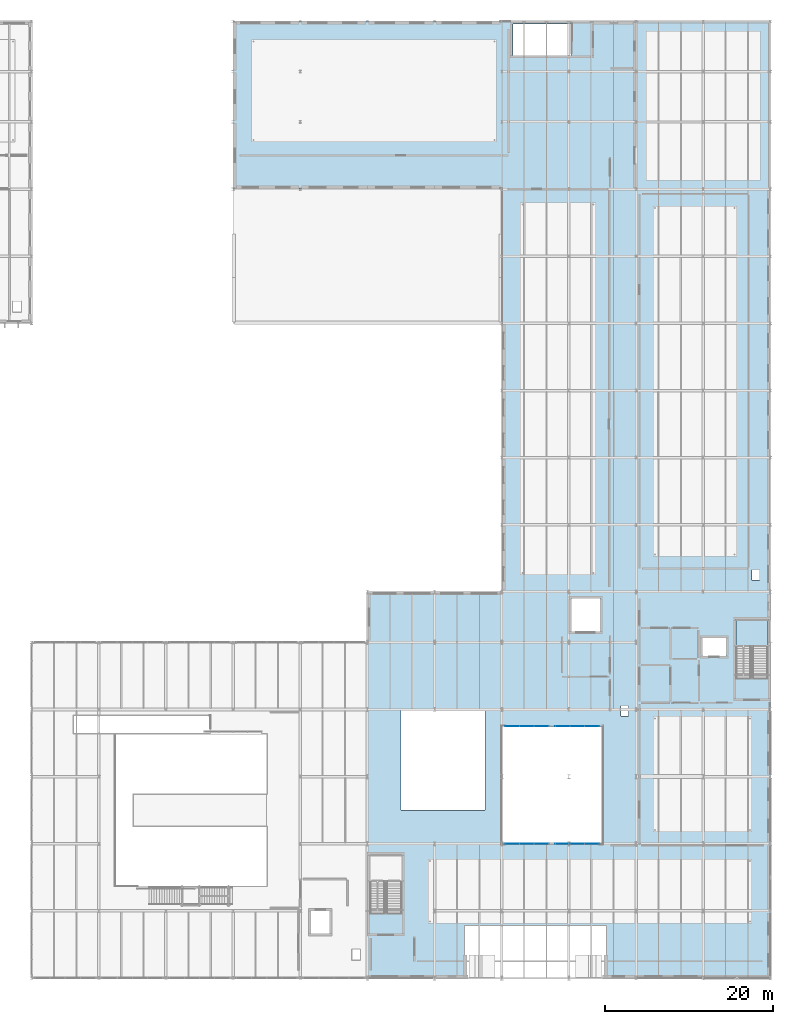
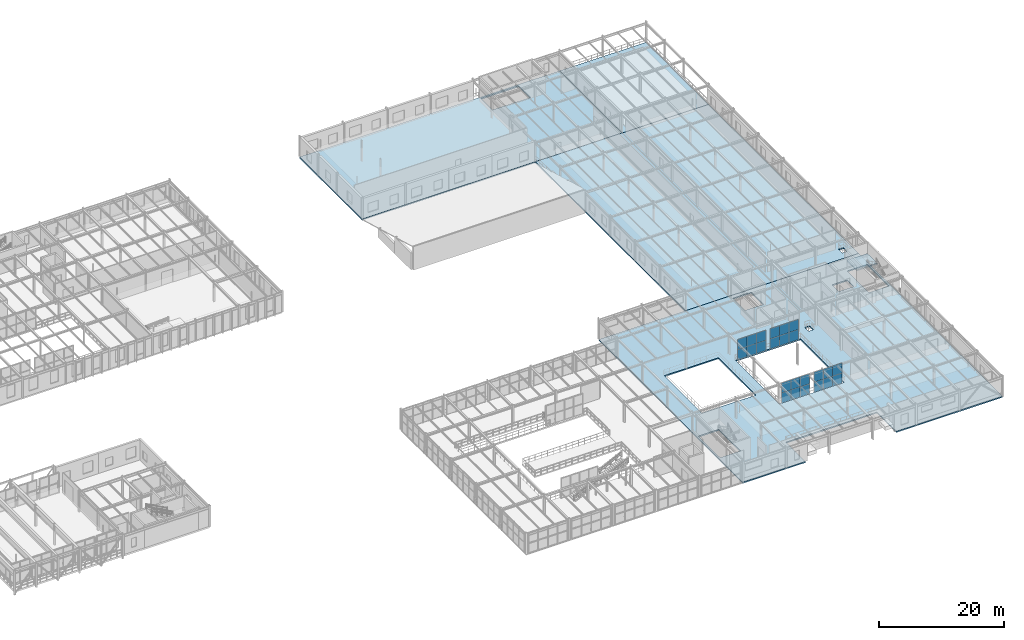
# One storey, part 72 of 124: 24 plates, 5 slabs, 5 elements without a shape of their own.
"""IFC4 building model written with IfcOpenShell, lengths in metres."""

import ifcopenshell
import ifcopenshell.guid

model = None  # the IFC model being written
_history = None  # IfcOwnerHistory: only IFC2X3 demands one
_inside = {}  # id of a spatial element -> (the spatial element, [elements in it])
_under = {}  # id of a project, library or spatial element -> (it, [spatial elements below it])
_declared = {}  # id of a project -> (the project, [libraries it declares])
_typed = {}  # id of a type object -> (the type object, [elements of that type])
_made_of = {}  # id of a material, layer set ... -> (it, [elements and type objects made of it])


def new_model(schema):
    """Start an empty IFC model of exactly this schema.

    Asked for "IFC4X3", IfcOpenShell would pick the latest addendum, in which some entities
    have other attributes; the version numbers below select the first issue.
    IFC2X3 requires an IfcOwnerHistory on every rooted entity: one is made here for all.
    """
    global model, _history
    if schema == "IFC4X3":
        model = ifcopenshell.file(schema_version=(4, 3, 0, 0))
    else:
        model = ifcopenshell.file(schema=schema)
    _inside.clear()
    _under.clear()
    _declared.clear()
    _typed.clear()
    _made_of.clear()
    _history = None
    if model.schema == "IFC2X3":
        org = make("IfcOrganization", Name="unknown")
        user = make(
            "IfcPersonAndOrganization",
            ThePerson=make("IfcPerson", FamilyName="unknown"),
            TheOrganization=org,
        )
        app = make(
            "IfcApplication",
            ApplicationDeveloper=org,
            Version="unknown",
            ApplicationFullName="unknown",
            ApplicationIdentifier="unknown",
        )
        _history = make(
            "IfcOwnerHistory",
            OwningUser=user,
            OwningApplication=app,
            ChangeAction="ADDED",
            CreationDate=0,
        )
    return model


def make(cls, **values):
    """One entity of the class cls with the attributes given. An attribute that is None is left unset."""
    return model.create_entity(
        cls, **{name: value for name, value in values.items() if value is not None}
    )


def rooted(cls, **values):
    """An entity with a GlobalId (a new one), such as an element, a storey or a relation."""
    return make(cls, GlobalId=ifcopenshell.guid.new(), OwnerHistory=_history, **values)


def si_unit(unit_type, name, prefix=None):
    """IfcSIUnit, for example si_unit("LENGTHUNIT", "METRE", prefix="MILLI")."""
    return make("IfcSIUnit", UnitType=unit_type, Prefix=prefix, Name=name)


def assignment(units):
    """IfcUnitAssignment: the units of a project."""
    return None if units is None else make("IfcUnitAssignment", Units=units)


def point(xyz):
    """IfcCartesianPoint."""
    return None if xyz is None else make("IfcCartesianPoint", Coordinates=xyz)


def direction(xyz):
    """IfcDirection."""
    return None if xyz is None else make("IfcDirection", DirectionRatios=xyz)


def frame(location, z_axis=None, x_axis=None):
    """IfcAxis2Placement3D, a coordinate frame: its origin and axes. An axis left out is left unset."""
    return make(
        "IfcAxis2Placement3D",
        Location=point(location),
        Axis=direction(z_axis),
        RefDirection=direction(x_axis),
    )


def frame_2d(location, x_axis=None):
    """IfcAxis2Placement2D, a coordinate frame in the plane: its origin and x axis."""
    return make(
        "IfcAxis2Placement2D", Location=point(location), RefDirection=direction(x_axis)
    )


def origin():
    """The frame at (0, 0, 0) with its axes left unset."""
    return frame((0.0, 0.0, 0.0))


def origin_2d():
    """The frame at (0, 0) in the plane with its x axis left unset."""
    return frame_2d((0.0, 0.0))


def place(relative_to, where):
    """IfcLocalPlacement: puts the frame where relative to a parent placement (None: the world)."""
    return make(
        "IfcLocalPlacement", PlacementRelTo=relative_to, RelativePlacement=where
    )


def context(
    kind, dimensions, precision=None, world=None, true_north=None, identifier=None
):
    """IfcGeometricRepresentationContext, for example the 3D "Model" context."""
    return make(
        "IfcGeometricRepresentationContext",
        ContextIdentifier=identifier,
        ContextType=kind,
        CoordinateSpaceDimension=dimensions,
        Precision=precision,
        WorldCoordinateSystem=world,
        TrueNorth=true_north,
    )


def subcontext(parent, identifier, kind, view, scale=None):
    """IfcGeometricRepresentationSubContext, for example "Body" below "Model"."""
    return make(
        "IfcGeometricRepresentationSubContext",
        ContextIdentifier=identifier,
        ContextType=kind,
        ParentContext=parent,
        TargetScale=scale,
        TargetView=view,
    )


def project(units=None, contexts=None):
    """IfcProject with its units and contexts."""
    return rooted(
        "IfcProject",
        Name="project",
        RepresentationContexts=contexts,
        UnitsInContext=assignment(units),
    )


def spatial(cls, under=None, at=None, **own):
    """A site, building, storey or space (cls), placed at a placement, below another one or the project."""
    s = rooted(cls, ObjectPlacement=at, **own)
    if under is not None:
        _under.setdefault(under.id(), (under, []))[1].append(s)
    return s


def polyline(points):
    """IfcPolyline through the points."""
    return make("IfcPolyline", Points=[point(p) for p in points])


def profile(cls, at=None, kind="AREA", **sizes):
    """A parametric profile (cls). Its sizes go by their IFC names, for example OverallWidth=200.0."""
    return make(cls, ProfileType=kind, Position=at, **sizes)


def rectangle(**sizes):
    """IfcRectangleProfileDef."""
    return profile("IfcRectangleProfileDef", **sizes)


def outline(outer, holes=None, kind="AREA"):
    """IfcArbitraryClosedProfileDef: a profile drawn as a closed curve; with holes, ...WithVoids."""
    if holes is None:
        return make("IfcArbitraryClosedProfileDef", ProfileType=kind, OuterCurve=outer)
    return make(
        "IfcArbitraryProfileDefWithVoids",
        ProfileType=kind,
        OuterCurve=outer,
        InnerCurves=holes,
    )


def extrude(swept, where, along, depth):
    """IfcExtrudedAreaSolid: the profile swept, set in the frame where, extruded along a direction by depth."""
    return make(
        "IfcExtrudedAreaSolid",
        SweptArea=swept,
        Position=where,
        ExtrudedDirection=direction(along),
        Depth=depth,
    )


def shape(context_of_items, identifier, shape_type, items):
    """IfcShapeRepresentation: the items that make up one representation, for example the "Body"."""
    return make(
        "IfcShapeRepresentation",
        ContextOfItems=context_of_items,
        RepresentationIdentifier=identifier,
        RepresentationType=shape_type,
        Items=items,
    )


def material(Name=None, Category=None):
    """IfcMaterial."""
    return make("IfcMaterial", Name=Name, Category=Category)


def layer(
    of_material, thickness, ventilated=None, Name=None, Category=None, Priority=None
):
    """IfcMaterialLayer: one layer of a wall or slab, of a material (None: an air gap)."""
    return make(
        "IfcMaterialLayer",
        Material=of_material,
        LayerThickness=thickness,
        IsVentilated=ventilated,
        Name=Name,
        Category=Category,
        Priority=Priority,
    )


def layer_set(layers, Name=None):
    """IfcMaterialLayerSet."""
    return make("IfcMaterialLayerSet", MaterialLayers=layers, LayerSetName=Name)


def made_of(thing, what):
    """Note that an element or type object is made of a material, layer set ...; save() writes the relation."""
    if what is not None:
        _made_of.setdefault(what.id(), (what, []))[1].append(thing)
    return thing


def type_object(cls, material=None, **own):
    """A type object (cls), such as IfcWallType, which elements share."""
    return made_of(rooted(cls, **own), material)


def element(
    cls,
    number,
    at=None,
    inside=None,
    cuts=None,
    type_object=None,
    material=None,
    context=None,
    identifier="Body",
    shape_type=None,
    held_by="IfcProductDefinitionShape",
    body=None,
    shapes=None,
    **own,
):
    """One element of the class cls, such as IfcWall. Its Tag is "e" and its number.

    at: its placement. inside: the storey or other place that contains it. cuts: it is an
    opening in that element (IfcRelVoidsElement). A single representation is given by context,
    identifier, shape_type and body (its items); several are given by shapes. held_by: the class
    of the entity that holds the representations. save() writes the other relations.
    """
    e = rooted(cls, Tag="e%d" % number, ObjectPlacement=at, **own)
    if body is not None:
        shapes = [shape(context, identifier, shape_type, body)]
    if shapes is not None:
        e.Representation = make(held_by, Representations=shapes)
    if inside is not None:
        _inside.setdefault(inside.id(), (inside, []))[1].append(e)
    if cuts is not None:
        rooted(
            "IfcRelVoidsElement", RelatingBuildingElement=cuts, RelatedOpeningElement=e
        )
    if type_object is not None:
        _typed.setdefault(type_object.id(), (type_object, []))[1].append(e)
    return made_of(e, material)


def aggregate(whole, parts):
    """IfcRelAggregates: a whole, such as a stair, and the parts it consists of."""
    return rooted("IfcRelAggregates", RelatingObject=whole, RelatedObjects=parts)


def save(model, path):
    """Write the relations noted so far, then the file.

    IfcRelAggregates (storeys below a building ...), IfcRelContainedInSpatialStructure (elements
    in a storey), IfcRelDefinesByType, IfcRelAssociatesMaterial and IfcRelDeclares: one each for
    every whole, place, type object, material and project.
    """
    for whole, parts in _under.values():
        aggregate(whole, parts)
    for where, things in _inside.values():
        rooted(
            "IfcRelContainedInSpatialStructure",
            RelatedElements=things,
            RelatingStructure=where,
        )
    for kind, things in _typed.values():
        rooted("IfcRelDefinesByType", RelatedObjects=things, RelatingType=kind)
    for what, things in _made_of.values():
        rooted("IfcRelAssociatesMaterial", RelatedObjects=things, RelatingMaterial=what)
    for by, libraries in _declared.values():
        rooted("IfcRelDeclares", RelatingContext=by, RelatedDefinitions=libraries)
    model.write(path)


model = new_model("IFC4")

# Units and contexts
model_context = context("Model", 3, precision=1e-05, world=origin(), true_north=direction((0.0, 1.0)))
body_context = subcontext(model_context, "Body", "Model", "MODEL_VIEW")
ifc_project = project(units=[si_unit("LENGTHUNIT", "METRE"), si_unit("AREAUNIT", "SQUARE_METRE"), si_unit("VOLUMEUNIT", "CUBIC_METRE"), si_unit("PLANEANGLEUNIT", "RADIAN"), si_unit("MASSUNIT", "GRAM", prefix="KILO")], contexts=[model_context])

# Site, building, storey
site_placement = place(None, origin())
site = spatial("IfcSite", under=ifc_project, at=site_placement, CompositionType="ELEMENT")
building_placement = place(site_placement, origin())
building = spatial("IfcBuilding", under=site, at=building_placement, Name="Sundkrona Museum", CompositionType="ELEMENT")
storey_placement = place(building_placement, frame((0.0, 0.0, 17.60009765625)))
storey = spatial("IfcBuildingStorey", under=building, at=storey_placement, Name="L03", CompositionType="ELEMENT", Elevation=17.60009765625)

# Curtain wall, plates
ifc_material_1 = material(Name="Unitised Aluminium-Steel and Ceramic-Clad Curtain Walling", Category="steel")
curtain_wall_type = type_object("IfcCurtainWallType", Name="CW-SC-52x38", PredefinedType="NOTDEFINED", material=ifc_material_1)
curtain_wall_1_placement = place(storey_placement, origin())
curtain_wall_1 = element("IfcCurtainWall", 1, at=curtain_wall_1_placement, inside=storey, type_object=curtain_wall_type, Name="L03 Curtain Wall CW-L03-009", PredefinedType="NOTDEFINED")
ifc_material_2 = material(Name="Triple Low-E Vision Glazing 32 mm", Category="glass")
ifc_layer_1 = layer(ifc_material_2, 0.031982421875)
ifc_layer_set_1 = layer_set([ifc_layer_1], Name="Triple Low-E Vision Glazing 32 mm")
plate_type = type_object("IfcPlateType", Name="PN-GL-01", PredefinedType="CURTAIN_PANEL", material=ifc_layer_set_1)
plate_1_placement = place(storey_placement, frame((137.2666015625, 16.0, -0.004150390625), z_axis=(0.0, 0.0, 1.0), x_axis=(1.0, 0.0, 0.0)))
plate_1 = element("IfcPlate", 2, at=plate_1_placement, type_object=plate_type, Name="CW-L03-009 Panel 01", PredefinedType="CURTAIN_PANEL", context=body_context, shape_type="SweptSolid", body=[
    extrude(rectangle(XDim=1.7333984375, YDim=0.031982421875, at=origin_2d()), origin(), (0.0, 0.0, 1.0), 1.98388671875),
])
plate_2_placement = place(storey_placement, frame((137.2666015625, 16.0, 1.97998046875), z_axis=(0.0, 0.0, 1.0), x_axis=(1.0, 0.0, 0.0)))
plate_2 = element("IfcPlate", 3, at=plate_2_placement, type_object=plate_type, Name="CW-L03-009 Panel 02", PredefinedType="CURTAIN_PANEL", context=body_context, shape_type="SweptSolid", body=[
    extrude(rectangle(XDim=1.7333984375, YDim=0.031982421875, at=origin_2d()), origin(), (0.0, 0.0, 1.0), 1.98388671875),
])
plate_3_placement = place(storey_placement, frame((139.0, 16.0, -0.004150390625), z_axis=(0.0, 0.0, 1.0), x_axis=(1.0, 0.0, 0.0)))
plate_3 = element("IfcPlate", 4, at=plate_3_placement, type_object=plate_type, Name="CW-L03-009 Panel 03", PredefinedType="CURTAIN_PANEL", context=body_context, shape_type="SweptSolid", body=[
    extrude(rectangle(XDim=1.7333984375, YDim=0.031982421875, at=origin_2d()), origin(), (0.0, 0.0, 1.0), 1.98388671875),
])
plate_4_placement = place(storey_placement, frame((139.0, 16.0, 1.97998046875), z_axis=(0.0, 0.0, 1.0), x_axis=(1.0, 0.0, 0.0)))
plate_4 = element("IfcPlate", 5, at=plate_4_placement, type_object=plate_type, Name="CW-L03-009 Panel 04", PredefinedType="CURTAIN_PANEL", context=body_context, shape_type="SweptSolid", body=[
    extrude(rectangle(XDim=1.7333984375, YDim=0.031982421875, at=origin_2d()), origin(), (0.0, 0.0, 1.0), 1.98388671875),
])
plate_5_placement = place(storey_placement, frame((140.7333984375, 16.0, -0.004150390625), z_axis=(0.0, 0.0, 1.0), x_axis=(1.0, 0.0, 0.0)))
plate_5 = element("IfcPlate", 6, at=plate_5_placement, type_object=plate_type, Name="CW-L03-009 Panel 05", PredefinedType="CURTAIN_PANEL", context=body_context, shape_type="SweptSolid", body=[
    extrude(rectangle(XDim=1.7333984375, YDim=0.031982421875, at=origin_2d()), origin(), (0.0, 0.0, 1.0), 1.98388671875),
])
plate_6_placement = place(storey_placement, frame((140.7333984375, 16.0, 1.97998046875), z_axis=(0.0, 0.0, 1.0), x_axis=(1.0, 0.0, 0.0)))
plate_6 = element("IfcPlate", 7, at=plate_6_placement, type_object=plate_type, Name="CW-L03-009 Panel 06", PredefinedType="CURTAIN_PANEL", context=body_context, shape_type="SweptSolid", body=[
    extrude(rectangle(XDim=1.7333984375, YDim=0.031982421875, at=origin_2d()), origin(), (0.0, 0.0, 1.0), 1.98388671875),
])
aggregate(curtain_wall_1, [plate_1, plate_2, plate_3, plate_4, plate_5, plate_6])

curtain_wall_2_placement = place(storey_placement, origin())
curtain_wall_2 = element("IfcCurtainWall", 8, at=curtain_wall_2_placement, inside=storey, type_object=curtain_wall_type, Name="L03 Curtain Wall CW-L03-010", PredefinedType="NOTDEFINED")
plate_7_placement = place(storey_placement, frame((137.2666015625, 30.0, -0.004150390625), z_axis=(0.0, 0.0, 1.0), x_axis=(1.0, 0.0, 0.0)))
plate_7 = element("IfcPlate", 9, at=plate_7_placement, type_object=plate_type, Name="CW-L03-010 Panel 01", PredefinedType="CURTAIN_PANEL", context=body_context, shape_type="SweptSolid", body=[
    extrude(rectangle(XDim=1.7333984375, YDim=0.031982421875, at=origin_2d()), origin(), (0.0, 0.0, 1.0), 1.98388671875),
])
plate_8_placement = place(storey_placement, frame((137.2666015625, 30.0, 1.97998046875), z_axis=(0.0, 0.0, 1.0), x_axis=(1.0, 0.0, 0.0)))
plate_8 = element("IfcPlate", 10, at=plate_8_placement, type_object=plate_type, Name="CW-L03-010 Panel 02", PredefinedType="CURTAIN_PANEL", context=body_context, shape_type="SweptSolid", body=[
    extrude(rectangle(XDim=1.7333984375, YDim=0.031982421875, at=origin_2d()), origin(), (0.0, 0.0, 1.0), 1.98388671875),
])
plate_9_placement = place(storey_placement, frame((139.0, 30.0, -0.004150390625), z_axis=(0.0, 0.0, 1.0), x_axis=(1.0, 0.0, 0.0)))
plate_9 = element("IfcPlate", 11, at=plate_9_placement, type_object=plate_type, Name="CW-L03-010 Panel 03", PredefinedType="CURTAIN_PANEL", context=body_context, shape_type="SweptSolid", body=[
    extrude(rectangle(XDim=1.7333984375, YDim=0.031982421875, at=origin_2d()), origin(), (0.0, 0.0, 1.0), 1.98388671875),
])
plate_10_placement = place(storey_placement, frame((139.0, 30.0, 1.97998046875), z_axis=(0.0, 0.0, 1.0), x_axis=(1.0, 0.0, 0.0)))
plate_10 = element("IfcPlate", 12, at=plate_10_placement, type_object=plate_type, Name="CW-L03-010 Panel 04", PredefinedType="CURTAIN_PANEL", context=body_context, shape_type="SweptSolid", body=[
    extrude(rectangle(XDim=1.7333984375, YDim=0.031982421875, at=origin_2d()), origin(), (0.0, 0.0, 1.0), 1.98388671875),
])
plate_11_placement = place(storey_placement, frame((140.7333984375, 30.0, -0.004150390625), z_axis=(0.0, 0.0, 1.0), x_axis=(1.0, 0.0, 0.0)))
plate_11 = element("IfcPlate", 13, at=plate_11_placement, type_object=plate_type, Name="CW-L03-010 Panel 05", PredefinedType="CURTAIN_PANEL", context=body_context, shape_type="SweptSolid", body=[
    extrude(rectangle(XDim=1.7333984375, YDim=0.031982421875, at=origin_2d()), origin(), (0.0, 0.0, 1.0), 1.98388671875),
])
plate_12_placement = place(storey_placement, frame((140.7333984375, 30.0, 1.97998046875), z_axis=(0.0, 0.0, 1.0), x_axis=(1.0, 0.0, 0.0)))
plate_12 = element("IfcPlate", 14, at=plate_12_placement, type_object=plate_type, Name="CW-L03-010 Panel 06", PredefinedType="CURTAIN_PANEL", context=body_context, shape_type="SweptSolid", body=[
    extrude(rectangle(XDim=1.7333984375, YDim=0.031982421875, at=origin_2d()), origin(), (0.0, 0.0, 1.0), 1.98388671875),
])
aggregate(curtain_wall_2, [plate_7, plate_8, plate_9, plate_10, plate_11, plate_12])

curtain_wall_3_placement = place(storey_placement, origin())
curtain_wall_3 = element("IfcCurtainWall", 15, at=curtain_wall_3_placement, inside=storey, type_object=curtain_wall_type, Name="L03 Curtain Wall CW-L03-011", PredefinedType="NOTDEFINED")
plate_13_placement = place(storey_placement, frame((143.2666015625, 16.0, -0.004150390625), z_axis=(0.0, 0.0, 1.0), x_axis=(1.0, 0.0, 0.0)))
plate_13 = element("IfcPlate", 16, at=plate_13_placement, type_object=plate_type, Name="CW-L03-011 Panel 01", PredefinedType="CURTAIN_PANEL", context=body_context, shape_type="SweptSolid", body=[
    extrude(rectangle(XDim=1.7333984375, YDim=0.031982421875, at=origin_2d()), origin(), (0.0, 0.0, 1.0), 1.98388671875),
])
plate_14_placement = place(storey_placement, frame((143.2666015625, 16.0, 1.97998046875), z_axis=(0.0, 0.0, 1.0), x_axis=(1.0, 0.0, 0.0)))
plate_14 = element("IfcPlate", 17, at=plate_14_placement, type_object=plate_type, Name="CW-L03-011 Panel 02", PredefinedType="CURTAIN_PANEL", context=body_context, shape_type="SweptSolid", body=[
    extrude(rectangle(XDim=1.7333984375, YDim=0.031982421875, at=origin_2d()), origin(), (0.0, 0.0, 1.0), 1.98388671875),
])
plate_15_placement = place(storey_placement, frame((145.0, 16.0, -0.004150390625), z_axis=(0.0, 0.0, 1.0), x_axis=(1.0, 0.0, 0.0)))
plate_15 = element("IfcPlate", 18, at=plate_15_placement, type_object=plate_type, Name="CW-L03-011 Panel 03", PredefinedType="CURTAIN_PANEL", context=body_context, shape_type="SweptSolid", body=[
    extrude(rectangle(XDim=1.7333984375, YDim=0.031982421875, at=origin_2d()), origin(), (0.0, 0.0, 1.0), 1.98388671875),
])
plate_16_placement = place(storey_placement, frame((145.0, 16.0, 1.97998046875), z_axis=(0.0, 0.0, 1.0), x_axis=(1.0, 0.0, 0.0)))
plate_16 = element("IfcPlate", 19, at=plate_16_placement, type_object=plate_type, Name="CW-L03-011 Panel 04", PredefinedType="CURTAIN_PANEL", context=body_context, shape_type="SweptSolid", body=[
    extrude(rectangle(XDim=1.7333984375, YDim=0.031982421875, at=origin_2d()), origin(), (0.0, 0.0, 1.0), 1.98388671875),
])
plate_17_placement = place(storey_placement, frame((146.7333984375, 16.0, -0.004150390625), z_axis=(0.0, 0.0, 1.0), x_axis=(1.0, 0.0, 0.0)))
plate_17 = element("IfcPlate", 20, at=plate_17_placement, type_object=plate_type, Name="CW-L03-011 Panel 05", PredefinedType="CURTAIN_PANEL", context=body_context, shape_type="SweptSolid", body=[
    extrude(rectangle(XDim=1.7333984375, YDim=0.031982421875, at=origin_2d()), origin(), (0.0, 0.0, 1.0), 1.98388671875),
])
plate_18_placement = place(storey_placement, frame((146.7333984375, 16.0, 1.97998046875), z_axis=(0.0, 0.0, 1.0), x_axis=(1.0, 0.0, 0.0)))
plate_18 = element("IfcPlate", 21, at=plate_18_placement, type_object=plate_type, Name="CW-L03-011 Panel 06", PredefinedType="CURTAIN_PANEL", context=body_context, shape_type="SweptSolid", body=[
    extrude(rectangle(XDim=1.7333984375, YDim=0.031982421875, at=origin_2d()), origin(), (0.0, 0.0, 1.0), 1.98388671875),
])
aggregate(curtain_wall_3, [plate_13, plate_14, plate_15, plate_16, plate_17, plate_18])

curtain_wall_4_placement = place(storey_placement, origin())
curtain_wall_4 = element("IfcCurtainWall", 22, at=curtain_wall_4_placement, inside=storey, type_object=curtain_wall_type, Name="L03 Curtain Wall CW-L03-012", PredefinedType="NOTDEFINED")
plate_19_placement = place(storey_placement, frame((143.2666015625, 30.0, -0.004150390625), z_axis=(0.0, 0.0, 1.0), x_axis=(1.0, 0.0, 0.0)))
plate_19 = element("IfcPlate", 23, at=plate_19_placement, type_object=plate_type, Name="CW-L03-012 Panel 01", PredefinedType="CURTAIN_PANEL", context=body_context, shape_type="SweptSolid", body=[
    extrude(rectangle(XDim=1.7333984375, YDim=0.031982421875, at=origin_2d()), origin(), (0.0, 0.0, 1.0), 1.98388671875),
])
plate_20_placement = place(storey_placement, frame((143.2666015625, 30.0, 1.97998046875), z_axis=(0.0, 0.0, 1.0), x_axis=(1.0, 0.0, 0.0)))
plate_20 = element("IfcPlate", 24, at=plate_20_placement, type_object=plate_type, Name="CW-L03-012 Panel 02", PredefinedType="CURTAIN_PANEL", context=body_context, shape_type="SweptSolid", body=[
    extrude(rectangle(XDim=1.7333984375, YDim=0.031982421875, at=origin_2d()), origin(), (0.0, 0.0, 1.0), 1.98388671875),
])
plate_21_placement = place(storey_placement, frame((145.0, 30.0, -0.004150390625), z_axis=(0.0, 0.0, 1.0), x_axis=(1.0, 0.0, 0.0)))
plate_21 = element("IfcPlate", 25, at=plate_21_placement, type_object=plate_type, Name="CW-L03-012 Panel 03", PredefinedType="CURTAIN_PANEL", context=body_context, shape_type="SweptSolid", body=[
    extrude(rectangle(XDim=1.7333984375, YDim=0.031982421875, at=origin_2d()), origin(), (0.0, 0.0, 1.0), 1.98388671875),
])
plate_22_placement = place(storey_placement, frame((145.0, 30.0, 1.97998046875), z_axis=(0.0, 0.0, 1.0), x_axis=(1.0, 0.0, 0.0)))
plate_22 = element("IfcPlate", 26, at=plate_22_placement, type_object=plate_type, Name="CW-L03-012 Panel 04", PredefinedType="CURTAIN_PANEL", context=body_context, shape_type="SweptSolid", body=[
    extrude(rectangle(XDim=1.7333984375, YDim=0.031982421875, at=origin_2d()), origin(), (0.0, 0.0, 1.0), 1.98388671875),
])
plate_23_placement = place(storey_placement, frame((146.7333984375, 30.0, -0.004150390625), z_axis=(0.0, 0.0, 1.0), x_axis=(1.0, 0.0, 0.0)))
plate_23 = element("IfcPlate", 27, at=plate_23_placement, type_object=plate_type, Name="CW-L03-012 Panel 05", PredefinedType="CURTAIN_PANEL", context=body_context, shape_type="SweptSolid", body=[
    extrude(rectangle(XDim=1.7333984375, YDim=0.031982421875, at=origin_2d()), origin(), (0.0, 0.0, 1.0), 1.98388671875),
])
plate_24_placement = place(storey_placement, frame((146.7333984375, 30.0, 1.97998046875), z_axis=(0.0, 0.0, 1.0), x_axis=(1.0, 0.0, 0.0)))
plate_24 = element("IfcPlate", 28, at=plate_24_placement, type_object=plate_type, Name="CW-L03-012 Panel 06", PredefinedType="CURTAIN_PANEL", context=body_context, shape_type="SweptSolid", body=[
    extrude(rectangle(XDim=1.7333984375, YDim=0.031982421875, at=origin_2d()), origin(), (0.0, 0.0, 1.0), 1.98388671875),
])
aggregate(curtain_wall_4, [plate_19, plate_20, plate_21, plate_22, plate_23, plate_24])

# Slabs
ifc_material_3 = material(Name="Concrete C35/45", Category="concrete")
ifc_layer_2 = layer(ifc_material_3, 0.239990234375)
ifc_layer_set_2 = layer_set([ifc_layer_2], Name="Concrete C35/45")
slab_type_1 = type_object("IfcSlabType", Name="SL-FL-240", PredefinedType="FLOOR", material=ifc_layer_set_2)
slab_1_placement = place(storey_placement, frame((0.0, 0.0, -0.239990234375)))
element("IfcSlab", 29, at=slab_1_placement, inside=storey, type_object=slab_type_1, Name="L03 Standard composite gallery floor slab 240 mm (SL-L03-V1)", PredefinedType="FLOOR", context=body_context, shape_type="SweptSolid", body=[
    extrude(outline(polyline([(120.0, 0.0), (131.60009765625, 0.0), (131.60009765625, 6.199951171875), (148.39990234375, 6.199951171875), (148.39990234375, 0.0), (168.0, 0.0), (168.0, 46.0), (120.0, 46.0), (120.0, 0.0)]), holes=[polyline([(163.925048828125, 35.72509765625), (163.925048828125, 42.675048828125), (167.675048828125, 42.675048828125), (167.675048828125, 35.72509765625), (163.925048828125, 35.72509765625)]), polyline([(159.89990234375, 40.5), (162.699951171875, 40.5), (162.699951171875, 38.39990234375), (159.89990234375, 38.39990234375), (159.89990234375, 40.5)]), polyline([(150.199951171875, 32.39990234375), (151.10009765625, 32.39990234375), (151.10009765625, 31.199951171875), (150.199951171875, 31.199951171875), (150.199951171875, 32.39990234375)]), polyline([(136.0, 30.0), (148.0, 30.0), (148.0, 16.0), (136.0, 16.0), (136.0, 30.0)]), polyline([(144.300048828125, 45.199951171875), (147.699951171875, 45.199951171875), (147.699951171875, 41.300048828125), (144.300048828125, 41.300048828125), (144.300048828125, 45.199951171875)]), polyline([(124.0, 32.0), (134.0, 32.0), (134.0, 20.0), (124.0, 20.0), (124.0, 32.0)]), polyline([(124.074951171875, 14.675048828125), (124.074951171875, 7.72509765625), (120.324951171875, 7.72509765625), (120.324951171875, 14.675048828125), (124.074951171875, 14.675048828125)])]), origin(), (0.0, 0.0, 1.0), 0.239990234375),
])
ifc_layer_3 = layer(ifc_material_3, 0.260009765625)
ifc_layer_set_3 = layer_set([ifc_layer_3], Name="Concrete C35/45")
slab_type_2 = type_object("IfcSlabType", Name="SL-FL-260", PredefinedType="FLOOR", material=ifc_layer_set_3)
slab_2_placement = place(storey_placement, frame((0.0, 0.0, -0.260009765625)))
element("IfcSlab", 30, at=slab_2_placement, inside=storey, type_object=slab_type_2, Name="L03 Atrium and education composite floor slab 260 mm (SL-L03-V5C)", PredefinedType="FLOOR", context=body_context, shape_type="SweptSolid", body=[
    extrude(outline(polyline([(104.0, 94.0), (152.0, 94.0), (152.0, 114.0), (104.0, 114.0), (104.0, 94.0)]), holes=[polyline([(137.324951171875, 113.675048828125), (144.27490234375, 113.675048828125), (144.27490234375, 109.925048828125), (137.324951171875, 109.925048828125), (137.324951171875, 113.675048828125)])]), origin(), (0.0, 0.0, 1.0), 0.260009765625),
])
slab_3_placement = place(storey_placement, frame((0.0, 0.0, -0.260009765625)))
element("IfcSlab", 31, at=slab_3_placement, inside=storey, type_object=slab_type_2, Name="L03 Atrium and education composite floor slab 260 mm (SL-L03-V5L)", PredefinedType="FLOOR", context=body_context, shape_type="SweptSolid", body=[
    extrude(outline(polyline([(136.0, 46.0), (168.0, 46.0), (168.0, 94.0), (136.0, 94.0), (136.0, 46.0)]), holes=[polyline([(166.699951171875, 47.39990234375), (165.800048828125, 47.39990234375), (165.800048828125, 48.60009765625), (166.699951171875, 48.60009765625), (166.699951171875, 47.39990234375)])]), origin(), (0.0, 0.0, 1.0), 0.260009765625),
])
ifc_layer_4 = layer(ifc_material_3, 0.300048828125)
ifc_layer_set_4 = layer_set([ifc_layer_4], Name="Concrete C35/45")
slab_type_3 = type_object("IfcSlabType", Name="SL-GD-300", PredefinedType="FLOOR", material=ifc_layer_set_4)
slab_4_placement = place(storey_placement, frame((0.0, 0.0, -0.300048828125)))
element("IfcSlab", 32, at=slab_4_placement, inside=storey, type_object=slab_type_3, Name="L03 Planted roof-garden waterproofed structural deck 300 mm (SL-L03-TER)", PredefinedType="FLOOR", context=body_context, shape_type="SweptSolid", body=[
    extrude(outline(polyline([(152.0, 94.0), (168.0, 94.0), (168.0, 114.0), (152.0, 114.0), (152.0, 94.0)])), origin(), (0.0, 0.0, 1.0), 0.300048828125),
])

# Stair, slab
stair_type = type_object("IfcStairType", Name="ST-DL-420", PredefinedType="HALF_TURN_STAIR", material=ifc_material_3)
stair_placement = place(storey_placement, origin())
stair = element("IfcStair", 33, at=stair_placement, inside=storey, type_object=stair_type, Name="L03 Protected Stair Core ST-1", PredefinedType="HALF_TURN_STAIR")
ifc_layer_5 = layer(ifc_material_3, 0.219970703125)
ifc_layer_set_5 = layer_set([ifc_layer_5], Name="Concrete C35/45")
slab_type_4 = type_object("IfcSlabType", Name="SL-LN-220", PredefinedType="LANDING", material=ifc_layer_set_5)
slab_5_placement = place(storey_placement, frame((0.0, 0.0, 1.8798828125)))
slab_5 = element("IfcSlab", 34, at=slab_5_placement, type_object=slab_type_4, Name="L03 Protected Stair Core ST-1 Landing 1", PredefinedType="LANDING", context=body_context, shape_type="SweptSolid", body=[
    extrude(outline(polyline([(167.699951171875, 39.534912109375), (167.699951171875, 42.699951171875), (163.89990234375, 42.699951171875), (163.89990234375, 39.534912109375), (167.699951171875, 39.534912109375)])), origin(), (0.0, 0.0, 1.0), 0.219970703125),
])
aggregate(stair, [slab_5])

save(model, "model.ifc")
